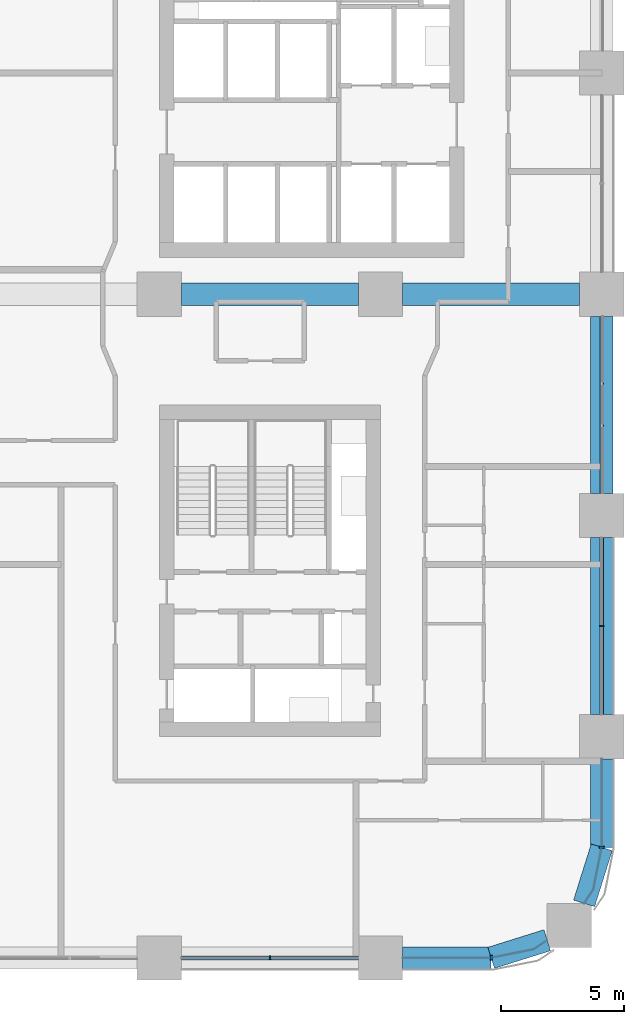
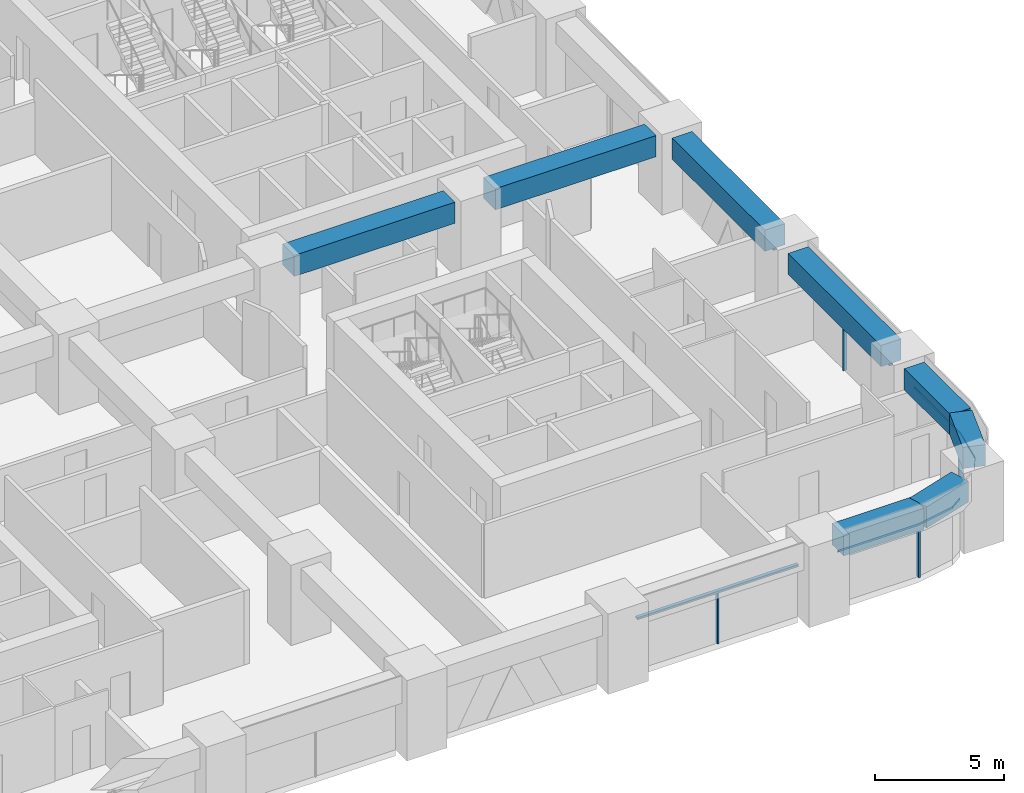
# One storey, part 6 of 23: 9 members, 8 beams, 5 elements without a shape of their own.
"""IFC4 building model written with IfcOpenShell, lengths in metres."""

from ifc_helpers import new_model, si_unit, direction, frame, origin, origin_2d, place, context, subcontext, project, spatial, polyline, rectangle, outline, extrude, material, material_profile, profile_set, type_object, element, aggregate, save


model = new_model("IFC4")

# Units and contexts
model_context = context("Model", 3, precision=1e-05, world=origin(), true_north=direction((0.0, 1.0)))
body_context = subcontext(model_context, "Body", "Model", "MODEL_VIEW")
ifc_project = project(units=[si_unit("LENGTHUNIT", "METRE"), si_unit("AREAUNIT", "SQUARE_METRE"), si_unit("VOLUMEUNIT", "CUBIC_METRE"), si_unit("PLANEANGLEUNIT", "RADIAN"), si_unit("MASSUNIT", "GRAM", prefix="KILO")], contexts=[model_context])

# Site, building, storey
site_placement = place(None, origin())
site = spatial("IfcSite", under=ifc_project, at=site_placement, CompositionType="ELEMENT")
building_placement = place(site_placement, origin())
building = spatial("IfcBuilding", under=site, at=building_placement, Name="Tessera Arch", CompositionType="ELEMENT")
storey_placement = place(building_placement, frame((0.0, 0.0, 34.800048828125)))
storey = spatial("IfcBuildingStorey", under=building, at=storey_placement, Name="L06", CompositionType="ELEMENT", Elevation=34.800048828125)

# Curtain wall, member
ifc_material_1 = material(Name="CW1 curtain wall")
curtain_wall_type_1 = type_object("IfcCurtainWallType", Name="CW1 curtain wall", PredefinedType="NOTDEFINED", material=ifc_material_1)
curtain_wall_1_placement = place(storey_placement, origin())
curtain_wall_1 = element("IfcCurtainWall", 1, at=curtain_wall_1_placement, inside=storey, type_object=curtain_wall_type_1, Name="CW1 curtain wall S0.0/3 L06", PredefinedType="NOTDEFINED")
ifc_material_2 = material(Name="Anodised aluminium pale metal", Category="aluminium")
ifc_material_profile_1 = material_profile(ifc_material_2, rectangle(XDim=0.159912109375, YDim=0.06005859375, at=origin_2d()), Name="AL 60x160")
ifc_profile_set_1 = profile_set([ifc_material_profile_1], Name="Anodised aluminium pale metal")
member_type_1 = type_object("IfcMemberType", Name="CW1 mullion", PredefinedType="MULLION", material=ifc_profile_set_1)
member_1_placement = place(storey_placement, frame((40.5, 0.0, 0.0), z_axis=(0.0, 0.0, 1.0), x_axis=(0.0, 1.0, 0.0)))
member_1 = element("IfcMember", 2, at=member_1_placement, type_object=member_type_1, Name="CW1 mullion S0.0/3 1", PredefinedType="MULLION", context=body_context, shape_type="SweptSolid", body=[
    extrude(rectangle(XDim=0.159912109375, YDim=0.06005859375, at=origin_2d()), origin(), (0.0, 0.0, 1.0), 2.39990234375),
])

curtain_wall_2_placement = place(storey_placement, origin())
curtain_wall_2 = element("IfcCurtainWall", 3, at=curtain_wall_2_placement, inside=storey, type_object=curtain_wall_type_1, Name="CW1 curtain wall E54.0/1 L06", PredefinedType="NOTDEFINED")
member_2_placement = place(storey_placement, frame((54.0, 13.5, 0.0), z_axis=(0.0, 0.0, 1.0), x_axis=(-1.0, 0.0, 0.0)))
member_2 = element("IfcMember", 4, at=member_2_placement, type_object=member_type_1, Name="CW1 mullion E54.0/1 1", PredefinedType="MULLION", context=body_context, shape_type="SweptSolid", body=[
    extrude(rectangle(XDim=0.159912109375, YDim=0.06005859375, at=origin_2d()), origin(), (0.0, 0.0, 1.0), 2.39990234375),
])

# Member
ifc_material_3 = material(Name="Anodised aluminium pale metal", Category="aluminium")
ifc_material_profile_2 = material_profile(ifc_material_3, rectangle(XDim=0.159912109375, YDim=0.10009765625, at=origin_2d()), Name="AL 160x100")
ifc_profile_set_2 = profile_set([ifc_material_profile_2], Name="Anodised aluminium pale metal")
member_type_2 = type_object("IfcMemberType", Name="CW1 transom", PredefinedType="USERDEFINED", material=ifc_profile_set_2)
member_3_placement = place(storey_placement, frame((36.89990234375, 0.0, 2.449951171875), z_axis=(1.0, 0.0, 0.0), x_axis=(0.0, 1.0, 0.0)))
member_3 = element("IfcMember", 5, at=member_3_placement, type_object=member_type_2, Name="CW1 transom S0.0/3 1.1", ObjectType="TRANSOM", PredefinedType="USERDEFINED", context=body_context, shape_type="SweptSolid", body=[
    extrude(rectangle(XDim=0.159912109375, YDim=0.10009765625, at=origin_2d()), origin(), (0.0, 0.0, 1.0), 7.2001953125),
])

aggregate(curtain_wall_1, [member_1, member_3])

member_4_placement = place(storey_placement, frame((54.0, 9.89990234375, 2.449951171875), z_axis=(0.0, 1.0, 0.0), x_axis=(-1.0, 0.0, 0.0)))
member_4 = element("IfcMember", 6, at=member_4_placement, type_object=member_type_2, Name="CW1 transom E54.0/1 1.1", ObjectType="TRANSOM", PredefinedType="USERDEFINED", context=body_context, shape_type="SweptSolid", body=[
    extrude(rectangle(XDim=0.159912109375, YDim=0.10009765625, at=origin_2d()), origin(), (0.0, 0.0, 1.0), 7.2001953125),
])

aggregate(curtain_wall_2, [member_2, member_4])

# Curtain wall, member
ifc_material_4 = material(Name="CW2 curtain wall")
curtain_wall_type_2 = type_object("IfcCurtainWallType", Name="CW2 curtain wall", PredefinedType="NOTDEFINED", material=ifc_material_4)
curtain_wall_3_placement = place(storey_placement, origin())
curtain_wall_3 = element("IfcCurtainWall", 7, at=curtain_wall_3_placement, inside=storey, type_object=curtain_wall_type_2, Name="CW2 curtain wall S0.0/4 L06", PredefinedType="NOTDEFINED")
ifc_material_5 = material(Name="Anodised aluminium pale metal", Category="aluminium")
ifc_material_profile_3 = material_profile(ifc_material_5, rectangle(XDim=0.199951171875, YDim=0.080078125, at=origin_2d()), Name="AL 80x200")
ifc_profile_set_3 = profile_set([ifc_material_profile_3], Name="Anodised aluminium pale metal")
member_type_3 = type_object("IfcMemberType", Name="CW2 mullion", PredefinedType="MULLION", material=ifc_profile_set_3)
member_5_placement = place(storey_placement, frame((49.5, 0.0, 0.0), z_axis=(0.0, 0.0, 1.0), x_axis=(0.0, 1.0, 0.0)))
member_5 = element("IfcMember", 8, at=member_5_placement, type_object=member_type_3, Name="CW2 mullion S0.0/4 1", PredefinedType="MULLION", context=body_context, shape_type="SweptSolid", body=[
    extrude(rectangle(XDim=0.199951171875, YDim=0.080078125, at=origin_2d()), origin(), (0.0, 0.0, 1.0), 2.39990234375),
])

curtain_wall_4_placement = place(storey_placement, origin())
curtain_wall_4 = element("IfcCurtainWall", 9, at=curtain_wall_4_placement, inside=storey, type_object=curtain_wall_type_2, Name="CW2 curtain wall E54.0/0 L06", PredefinedType="NOTDEFINED")
member_6_placement = place(storey_placement, frame((54.0, 4.5, 0.0), z_axis=(0.0, 0.0, 1.0), x_axis=(-1.0, 0.0, 0.0)))
member_6 = element("IfcMember", 10, at=member_6_placement, type_object=member_type_3, Name="CW2 mullion E54.0/0 1", PredefinedType="MULLION", context=body_context, shape_type="SweptSolid", body=[
    extrude(rectangle(XDim=0.199951171875, YDim=0.080078125, at=origin_2d()), origin(), (0.0, 0.0, 1.0), 2.39990234375),
])

# Member
ifc_material_6 = material(Name="Anodised aluminium pale metal", Category="aluminium")
ifc_material_profile_4 = material_profile(ifc_material_6, rectangle(XDim=0.199951171875, YDim=0.10009765625, at=origin_2d()), Name="AL 200x100")
ifc_profile_set_4 = profile_set([ifc_material_profile_4], Name="Anodised aluminium pale metal")
member_type_4 = type_object("IfcMemberType", Name="CW2 transom", PredefinedType="USERDEFINED", material=ifc_profile_set_4)
member_7_placement = place(storey_placement, frame((0.0, 0.0, 2.39990234375)))
member_7 = element("IfcMember", 11, at=member_7_placement, type_object=member_type_4, Name="CW2 transom S0.0/4 1", ObjectType="TRANSOM", PredefinedType="USERDEFINED", context=body_context, shape_type="SweptSolid", body=[
    extrude(outline(polyline([(49.4990234375, 0.010009765625), (45.89990234375, 0.010009765625), (45.89990234375, -0.010009765625), (49.5009765625, -0.010009765625), (51.22607421875, 0.3330078125), (51.78759765625, 0.70849609375), (51.7763671875, 0.72509765625), (51.21826171875, 0.351806640625), (49.4990234375, 0.010009765625)])), origin(), (0.0, 0.0, 1.0), 0.10009765625),
])

aggregate(curtain_wall_3, [member_5, member_7])

member_8_placement = place(storey_placement, frame((0.0, 0.0, 2.39990234375)))
member_8 = element("IfcMember", 12, at=member_8_placement, type_object=member_type_4, Name="CW2 transom E54.0/0 1", ObjectType="TRANSOM", PredefinedType="USERDEFINED", context=body_context, shape_type="SweptSolid", body=[
    extrude(outline(polyline([(53.648193359375, 2.78173828125), (53.27490234375, 2.2236328125), (53.29150390625, 2.21240234375), (53.6669921875, 2.77392578125), (54.010009765625, 4.4990234375), (54.010009765625, 8.10009765625), (53.989990234375, 8.10009765625), (53.989990234375, 4.5009765625), (53.648193359375, 2.78173828125)])), origin(), (0.0, 0.0, 1.0), 0.10009765625),
])

aggregate(curtain_wall_4, [member_6, member_8])

# Curtain wall, member
ifc_material_7 = material(Name="CW3 curtain wall")
curtain_wall_type_3 = type_object("IfcCurtainWallType", Name="CW3 curtain wall", PredefinedType="NOTDEFINED", material=ifc_material_7)
curtain_wall_5_placement = place(storey_placement, origin())
curtain_wall_5 = element("IfcCurtainWall", 13, at=curtain_wall_5_placement, inside=storey, type_object=curtain_wall_type_3, Name="CW3 curtain wall E54.0/2 L06", PredefinedType="NOTDEFINED")
ifc_material_8 = material(Name="Anodised aluminium pale metal", Category="aluminium")
ifc_material_profile_5 = material_profile(ifc_material_8, rectangle(XDim=0.139892578125, YDim=0.10009765625, at=origin_2d()), Name="AL 140x100")
ifc_profile_set_5 = profile_set([ifc_material_profile_5], Name="Anodised aluminium pale metal")
member_type_5 = type_object("IfcMemberType", Name="CW3 transom", PredefinedType="USERDEFINED", material=ifc_profile_set_5)
member_9_placement = place(storey_placement, frame((54.0, 18.89990234375, 2.449951171875), z_axis=(0.0, 1.0, 0.0), x_axis=(-1.0, 0.0, 0.0)))
member_9 = element("IfcMember", 14, at=member_9_placement, type_object=member_type_5, Name="CW3 transom E54.0/2 1.1", ObjectType="TRANSOM", PredefinedType="USERDEFINED", context=body_context, shape_type="SweptSolid", body=[
    extrude(rectangle(XDim=0.139892578125, YDim=0.10009765625, at=origin_2d()), origin(), (0.0, 0.0, 1.0), 7.2001953125),
])
aggregate(curtain_wall_5, [member_9])

# Beams
ifc_material_9 = material(Name="Concrete C80/95", Category="concrete")
ifc_material_profile_6 = material_profile(ifc_material_9, rectangle(XDim=0.89990234375, YDim=1.0, at=origin_2d()), Name="RC spandrel beam 900 x 1000 Concrete C80/95")
ifc_profile_set_6 = profile_set([ifc_material_profile_6], Name="Concrete C80/95")
beam_type = type_object("IfcBeamType", Name="RC spandrel beam 900 x 1000 Concrete C80/95", PredefinedType="BEAM", material=ifc_profile_set_6)
beam_1_placement = place(storey_placement, frame((45.89990234375, 0.0, 3.0), z_axis=(1.0, 0.0, 0.0), x_axis=(0.0, 1.0, 0.0)))
element("IfcBeam", 15, at=beam_1_placement, inside=storey, type_object=beam_type, Name="Spandrel beam L06 S0.0/4.1", PredefinedType="BEAM", context=body_context, shape_type="SweptSolid", body=[
    extrude(rectangle(XDim=0.89990234375, YDim=1.0, at=origin_2d()), origin(), (0.0, 0.0, 1.0), 3.60009765625),
])
for number, where, z_axis, x_axis, name in (
    (16, (49.5, 0.0, 3.0), (0.954041251279, 0.299675309057, 0.0), (-0.299675309057, 0.954041251279, 0.0), "Spandrel beam L06 S0.0/4.2"),
    (17, (53.283203125, 2.218017578125, 3.0), (0.299675309057, 0.954041251279, 0.0), (-0.954041251279, 0.299675309057, 0.0), "Spandrel beam L06 E54.0/0.1"),
):
    element("IfcBeam", number, at=place(storey_placement, frame(where, z_axis=z_axis, x_axis=x_axis)), inside=storey, type_object=beam_type, Name=name, PredefinedType="BEAM", context=body_context, shape_type="SweptSolid", body=[
        extrude(rectangle(XDim=0.89990234375, YDim=1.0, at=origin_2d()), origin(), (0.0, 0.0, 1.0), 2.391845703125),
    ])
beam_2_placement = place(storey_placement, frame((54.0, 4.5, 3.0), z_axis=(0.0, 1.0, 0.0), x_axis=(-1.0, 0.0, 0.0)))
element("IfcBeam", 18, at=beam_2_placement, inside=storey, type_object=beam_type, Name="Spandrel beam L06 E54.0/0.2", PredefinedType="BEAM", context=body_context, shape_type="SweptSolid", body=[
    extrude(rectangle(XDim=0.89990234375, YDim=1.0, at=origin_2d()), origin(), (0.0, 0.0, 1.0), 3.60009765625),
])
for number, where, z_axis, x_axis, name in (
    (19, (54.0, 9.89990234375, 3.0), (0.0, 1.0, 0.0), (-1.0, 0.0, 0.0), "Spandrel beam L06 E54.0/1"),
    (20, (54.0, 18.89990234375, 3.0), (0.0, 1.0, 0.0), (-1.0, 0.0, 0.0), "Spandrel beam L06 E54.0/2"),
    (21, (36.89990234375, 27.0, 3.0), (1.0, 0.0, 0.0), (0.0, 1.0, 0.0), "Interface beam L06 I1C5D-C6D"),
    (22, (45.89990234375, 27.0, 3.0), (1.0, 0.0, 0.0), (0.0, 1.0, 0.0), "Interface beam L06 I1C6D-C7D"),
):
    element("IfcBeam", number, at=place(storey_placement, frame(where, z_axis=z_axis, x_axis=x_axis)), inside=storey, type_object=beam_type, Name=name, PredefinedType="BEAM", context=body_context, shape_type="SweptSolid", body=[
        extrude(rectangle(XDim=0.89990234375, YDim=1.0, at=origin_2d()), origin(), (0.0, 0.0, 1.0), 7.2001953125),
    ])

save(model, "model.ifc")
